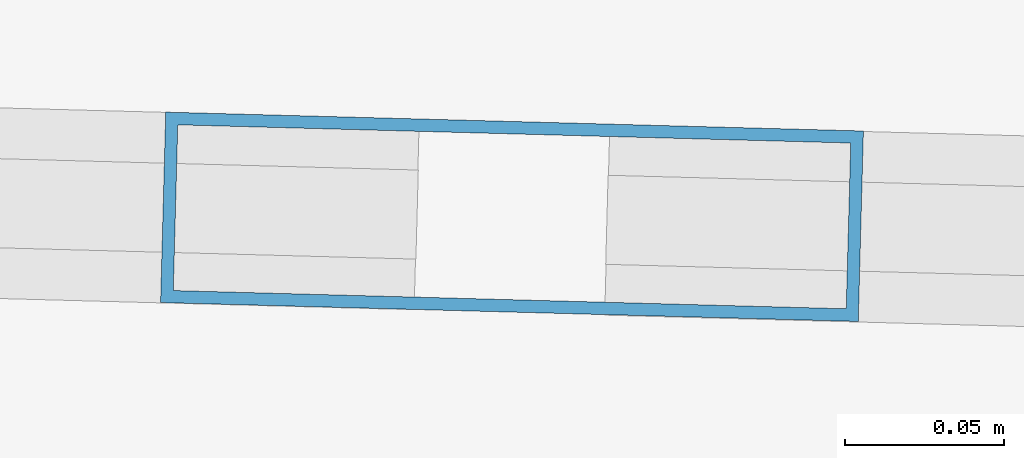
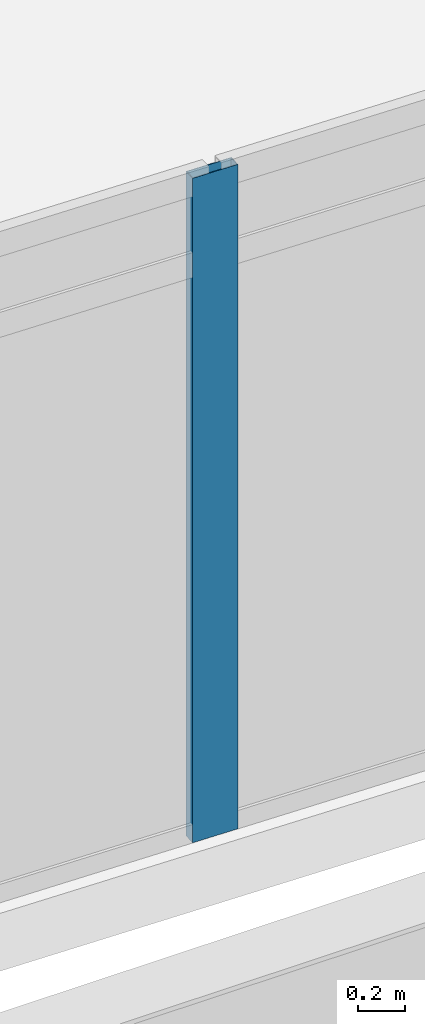
# One storey, part 5 of 28: 1 member, 1 element without a shape of its own.
"""IFC4 building model written with IfcOpenShell, lengths in metres."""

from ifc_helpers import new_model, si_unit, direction, frame, origin, origin_2d, place, context, subcontext, project, spatial, hollow_rectangle, extrude, material, material_profile, profile_set, type_object, element, aggregate, save


model = new_model("IFC4")

# Units and contexts
model_context = context("Model", 3, precision=1e-05, world=origin(), true_north=direction((0.0, 1.0)))
body_context = subcontext(model_context, "Body", "Model", "MODEL_VIEW")
ifc_project = project(units=[si_unit("LENGTHUNIT", "METRE"), si_unit("AREAUNIT", "SQUARE_METRE"), si_unit("VOLUMEUNIT", "CUBIC_METRE"), si_unit("PLANEANGLEUNIT", "RADIAN"), si_unit("MASSUNIT", "GRAM", prefix="KILO")], contexts=[model_context])

# Site, building, storey
site_placement = place(None, origin())
site = spatial("IfcSite", under=ifc_project, at=site_placement, CompositionType="ELEMENT")
building_placement = place(site_placement, origin())
building = spatial("IfcBuilding", under=site, at=building_placement, Name="Ostrander Bayou Hotel Tower", CompositionType="ELEMENT")
storey_placement = place(building_placement, frame((0.0, 0.0, 76.75)))
storey = spatial("IfcBuildingStorey", under=building, at=storey_placement, Name="L19", CompositionType="ELEMENT", Elevation=76.75)

# Curtain wall, member
ifc_material_1 = material(Name="Aluminium and clear glass", Category="aluminium")
curtain_wall_type = type_object("IfcCurtainWallType", Name="CW-BAR glazed wall", PredefinedType="NOTDEFINED", material=ifc_material_1)
curtain_wall_placement = place(storey_placement, origin())
curtain_wall = element("IfcCurtainWall", 1, at=curtain_wall_placement, inside=storey, type_object=curtain_wall_type, Name="CW-BAR L19:SB1S:T", PredefinedType="NOTDEFINED")
ifc_material_2 = material(Name="Aluminium", Category="aluminium")
ifc_material_profile = material_profile(ifc_material_2, hollow_rectangle(XDim=0.06005859375, YDim=0.219970703125, WallThickness=0.00390625, at=origin_2d()))
ifc_profile_set = profile_set([ifc_material_profile], Name="Aluminium")
member_type = type_object("IfcMemberType", Name="CW-BR mullion 60 x 220 mm", PredefinedType="MULLION", material=ifc_profile_set)
member_placement = place(storey_placement, frame((0.0, -32.449951171875, 0.0), z_axis=(0.0, 0.0, 1.0), x_axis=(0.027042484848, 0.999634285133, 0.0)))
member = element("IfcMember", 2, at=member_placement, type_object=member_type, Name="CW-BAR mullion 8", PredefinedType="MULLION", context=body_context, shape_type="SweptSolid", body=[
    extrude(hollow_rectangle(XDim=0.06005859375, YDim=0.219970703125, WallThickness=0.00390625, at=origin_2d()), origin(), (0.0, 0.0, 1.0), 3.449951171875),
])
aggregate(curtain_wall, [member])

save(model, "model.ifc")
